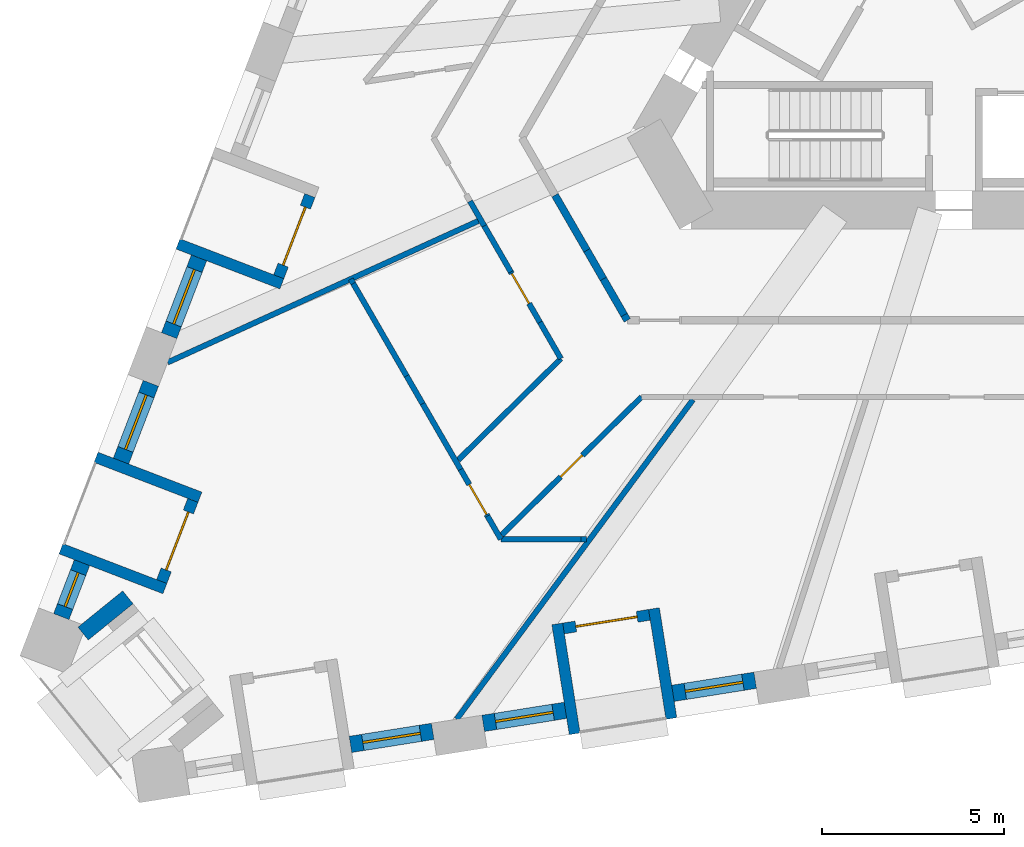
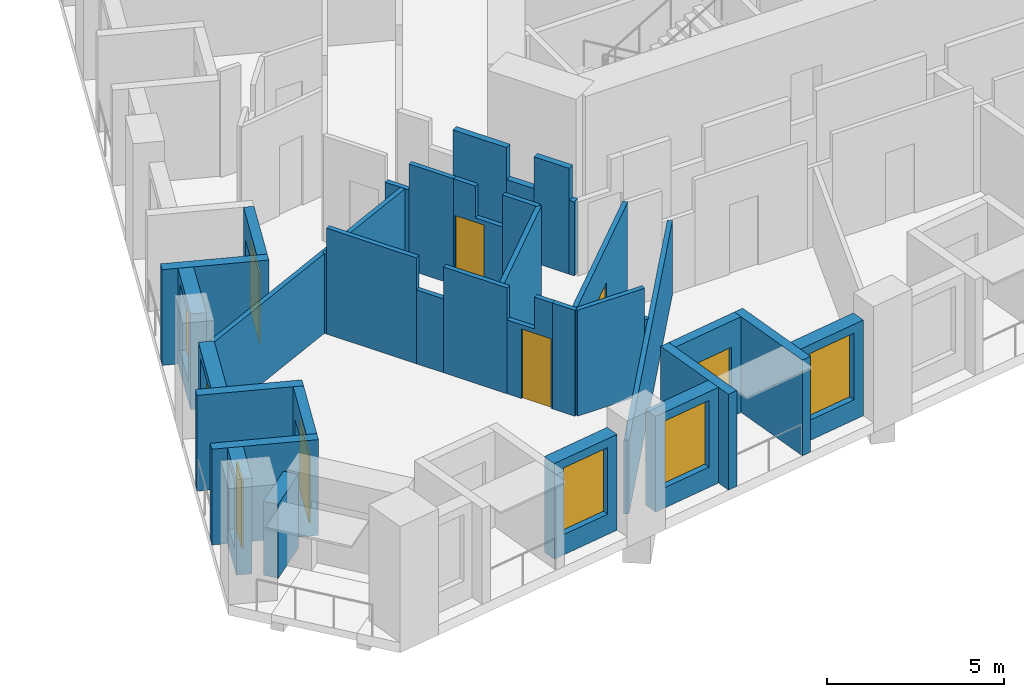
# One storey, part 2 of 13: 35 walls, 6 doors, 6 windows, 12 openings.
"""IFC4 building model written with IfcOpenShell, lengths in metres."""

import ifcopenshell
import ifcopenshell.guid

model = None  # the IFC model being written
_history = None  # IfcOwnerHistory: only IFC2X3 demands one
_inside = {}  # id of a spatial element -> (the spatial element, [elements in it])
_under = {}  # id of a project, library or spatial element -> (it, [spatial elements below it])
_declared = {}  # id of a project -> (the project, [libraries it declares])
_typed = {}  # id of a type object -> (the type object, [elements of that type])
_made_of = {}  # id of a material, layer set ... -> (it, [elements and type objects made of it])


def new_model(schema):
    """Start an empty IFC model of exactly this schema.

    Asked for "IFC4X3", IfcOpenShell would pick the latest addendum, in which some entities
    have other attributes; the version numbers below select the first issue.
    IFC2X3 requires an IfcOwnerHistory on every rooted entity: one is made here for all.
    """
    global model, _history
    if schema == "IFC4X3":
        model = ifcopenshell.file(schema_version=(4, 3, 0, 0))
    else:
        model = ifcopenshell.file(schema=schema)
    _inside.clear()
    _under.clear()
    _declared.clear()
    _typed.clear()
    _made_of.clear()
    _history = None
    if model.schema == "IFC2X3":
        org = make("IfcOrganization", Name="unknown")
        user = make(
            "IfcPersonAndOrganization",
            ThePerson=make("IfcPerson", FamilyName="unknown"),
            TheOrganization=org,
        )
        app = make(
            "IfcApplication",
            ApplicationDeveloper=org,
            Version="unknown",
            ApplicationFullName="unknown",
            ApplicationIdentifier="unknown",
        )
        _history = make(
            "IfcOwnerHistory",
            OwningUser=user,
            OwningApplication=app,
            ChangeAction="ADDED",
            CreationDate=0,
        )
    return model


def make(cls, **values):
    """One entity of the class cls with the attributes given. An attribute that is None is left unset."""
    return model.create_entity(
        cls, **{name: value for name, value in values.items() if value is not None}
    )


def rooted(cls, **values):
    """An entity with a GlobalId (a new one), such as an element, a storey or a relation."""
    return make(cls, GlobalId=ifcopenshell.guid.new(), OwnerHistory=_history, **values)


def si_unit(unit_type, name, prefix=None):
    """IfcSIUnit, for example si_unit("LENGTHUNIT", "METRE", prefix="MILLI")."""
    return make("IfcSIUnit", UnitType=unit_type, Prefix=prefix, Name=name)


def assignment(units):
    """IfcUnitAssignment: the units of a project."""
    return None if units is None else make("IfcUnitAssignment", Units=units)


def point(xyz):
    """IfcCartesianPoint."""
    return None if xyz is None else make("IfcCartesianPoint", Coordinates=xyz)


def direction(xyz):
    """IfcDirection."""
    return None if xyz is None else make("IfcDirection", DirectionRatios=xyz)


def frame(location, z_axis=None, x_axis=None):
    """IfcAxis2Placement3D, a coordinate frame: its origin and axes. An axis left out is left unset."""
    return make(
        "IfcAxis2Placement3D",
        Location=point(location),
        Axis=direction(z_axis),
        RefDirection=direction(x_axis),
    )


def frame_2d(location, x_axis=None):
    """IfcAxis2Placement2D, a coordinate frame in the plane: its origin and x axis."""
    return make(
        "IfcAxis2Placement2D", Location=point(location), RefDirection=direction(x_axis)
    )


def origin():
    """The frame at (0, 0, 0) with its axes left unset."""
    return frame((0.0, 0.0, 0.0))


def place(relative_to, where):
    """IfcLocalPlacement: puts the frame where relative to a parent placement (None: the world)."""
    return make(
        "IfcLocalPlacement", PlacementRelTo=relative_to, RelativePlacement=where
    )


def context(
    kind, dimensions, precision=None, world=None, true_north=None, identifier=None
):
    """IfcGeometricRepresentationContext, for example the 3D "Model" context."""
    return make(
        "IfcGeometricRepresentationContext",
        ContextIdentifier=identifier,
        ContextType=kind,
        CoordinateSpaceDimension=dimensions,
        Precision=precision,
        WorldCoordinateSystem=world,
        TrueNorth=true_north,
    )


def subcontext(parent, identifier, kind, view, scale=None):
    """IfcGeometricRepresentationSubContext, for example "Body" below "Model"."""
    return make(
        "IfcGeometricRepresentationSubContext",
        ContextIdentifier=identifier,
        ContextType=kind,
        ParentContext=parent,
        TargetScale=scale,
        TargetView=view,
    )


def project(units=None, contexts=None):
    """IfcProject with its units and contexts."""
    return rooted(
        "IfcProject",
        Name="project",
        RepresentationContexts=contexts,
        UnitsInContext=assignment(units),
    )


def spatial(cls, under=None, at=None, **own):
    """A site, building, storey or space (cls), placed at a placement, below another one or the project."""
    s = rooted(cls, ObjectPlacement=at, **own)
    if under is not None:
        _under.setdefault(under.id(), (under, []))[1].append(s)
    return s


def polyline(points):
    """IfcPolyline through the points."""
    return make("IfcPolyline", Points=[point(p) for p in points])


def profile(cls, at=None, kind="AREA", **sizes):
    """A parametric profile (cls). Its sizes go by their IFC names, for example OverallWidth=200.0."""
    return make(cls, ProfileType=kind, Position=at, **sizes)


def rectangle(**sizes):
    """IfcRectangleProfileDef."""
    return profile("IfcRectangleProfileDef", **sizes)


def outline(outer, holes=None, kind="AREA"):
    """IfcArbitraryClosedProfileDef: a profile drawn as a closed curve; with holes, ...WithVoids."""
    if holes is None:
        return make("IfcArbitraryClosedProfileDef", ProfileType=kind, OuterCurve=outer)
    return make(
        "IfcArbitraryProfileDefWithVoids",
        ProfileType=kind,
        OuterCurve=outer,
        InnerCurves=holes,
    )


def extrude(swept, where, along, depth):
    """IfcExtrudedAreaSolid: the profile swept, set in the frame where, extruded along a direction by depth."""
    return make(
        "IfcExtrudedAreaSolid",
        SweptArea=swept,
        Position=where,
        ExtrudedDirection=direction(along),
        Depth=depth,
    )


def shape(context_of_items, identifier, shape_type, items):
    """IfcShapeRepresentation: the items that make up one representation, for example the "Body"."""
    return make(
        "IfcShapeRepresentation",
        ContextOfItems=context_of_items,
        RepresentationIdentifier=identifier,
        RepresentationType=shape_type,
        Items=items,
    )


def material(Name=None, Category=None):
    """IfcMaterial."""
    return make("IfcMaterial", Name=Name, Category=Category)


def layer(
    of_material, thickness, ventilated=None, Name=None, Category=None, Priority=None
):
    """IfcMaterialLayer: one layer of a wall or slab, of a material (None: an air gap)."""
    return make(
        "IfcMaterialLayer",
        Material=of_material,
        LayerThickness=thickness,
        IsVentilated=ventilated,
        Name=Name,
        Category=Category,
        Priority=Priority,
    )


def layer_set(layers, Name=None):
    """IfcMaterialLayerSet."""
    return make("IfcMaterialLayerSet", MaterialLayers=layers, LayerSetName=Name)


def made_of(thing, what):
    """Note that an element or type object is made of a material, layer set ...; save() writes the relation."""
    if what is not None:
        _made_of.setdefault(what.id(), (what, []))[1].append(thing)
    return thing


def type_object(cls, material=None, **own):
    """A type object (cls), such as IfcWallType, which elements share."""
    return made_of(rooted(cls, **own), material)


def element(
    cls,
    number,
    at=None,
    inside=None,
    cuts=None,
    type_object=None,
    material=None,
    context=None,
    identifier="Body",
    shape_type=None,
    held_by="IfcProductDefinitionShape",
    body=None,
    shapes=None,
    **own,
):
    """One element of the class cls, such as IfcWall. Its Tag is "e" and its number.

    at: its placement. inside: the storey or other place that contains it. cuts: it is an
    opening in that element (IfcRelVoidsElement). A single representation is given by context,
    identifier, shape_type and body (its items); several are given by shapes. held_by: the class
    of the entity that holds the representations. save() writes the other relations.
    """
    e = rooted(cls, Tag="e%d" % number, ObjectPlacement=at, **own)
    if body is not None:
        shapes = [shape(context, identifier, shape_type, body)]
    if shapes is not None:
        e.Representation = make(held_by, Representations=shapes)
    if inside is not None:
        _inside.setdefault(inside.id(), (inside, []))[1].append(e)
    if cuts is not None:
        rooted(
            "IfcRelVoidsElement", RelatingBuildingElement=cuts, RelatedOpeningElement=e
        )
    if type_object is not None:
        _typed.setdefault(type_object.id(), (type_object, []))[1].append(e)
    return made_of(e, material)


def fill(opening, filler):
    """IfcRelFillsElement: the door or window that sits in an opening."""
    return rooted(
        "IfcRelFillsElement",
        RelatingOpeningElement=opening,
        RelatedBuildingElement=filler,
    )


def aggregate(whole, parts):
    """IfcRelAggregates: a whole, such as a stair, and the parts it consists of."""
    return rooted("IfcRelAggregates", RelatingObject=whole, RelatedObjects=parts)


def save(model, path):
    """Write the relations noted so far, then the file.

    IfcRelAggregates (storeys below a building ...), IfcRelContainedInSpatialStructure (elements
    in a storey), IfcRelDefinesByType, IfcRelAssociatesMaterial and IfcRelDeclares: one each for
    every whole, place, type object, material and project.
    """
    for whole, parts in _under.values():
        aggregate(whole, parts)
    for where, things in _inside.values():
        rooted(
            "IfcRelContainedInSpatialStructure",
            RelatedElements=things,
            RelatingStructure=where,
        )
    for kind, things in _typed.values():
        rooted("IfcRelDefinesByType", RelatedObjects=things, RelatingType=kind)
    for what, things in _made_of.values():
        rooted("IfcRelAssociatesMaterial", RelatedObjects=things, RelatingMaterial=what)
    for by, libraries in _declared.values():
        rooted("IfcRelDeclares", RelatingContext=by, RelatedDefinitions=libraries)
    model.write(path)


model = new_model("IFC4")

# Units and contexts
model_context = context("Model", 3, precision=1e-05, world=origin(), true_north=direction((0.0, 1.0)))
body_context = subcontext(model_context, "Body", "Model", "MODEL_VIEW")
ifc_project = project(units=[si_unit("LENGTHUNIT", "METRE"), si_unit("AREAUNIT", "SQUARE_METRE"), si_unit("VOLUMEUNIT", "CUBIC_METRE"), si_unit("PLANEANGLEUNIT", "RADIAN"), si_unit("MASSUNIT", "GRAM", prefix="KILO")], contexts=[model_context])

# Site, building, storey
site_placement = place(None, origin())
site = spatial("IfcSite", under=ifc_project, at=site_placement, CompositionType="ELEMENT")
building_placement = place(site_placement, origin())
building = spatial("IfcBuilding", under=site, at=building_placement, Name="Tramontana Tower", CompositionType="ELEMENT")
storey_placement = place(building_placement, frame((0.0, 0.0, 51.199951171875)))
storey = spatial("IfcBuildingStorey", under=building, at=storey_placement, Name="L10", CompositionType="ELEMENT", Elevation=51.199951171875)

# Walls
ifc_material_1 = material(Name="Blockwork", Category="masonry")
ifc_layer_1 = layer(ifc_material_1, 0.199951171875)
ifc_layer_set_1 = layer_set([ifc_layer_1], Name="ENTRY WALL 200")
wall_type_1 = type_object("IfcWallType", Name="ENTRY WALL 200", PredefinedType="SOLIDWALL", material=ifc_layer_set_1)
wall_1_placement = place(storey_placement, frame((-10.248046875, -9.25, 0.0), z_axis=(0.0, 0.0, 1.0), x_axis=(-0.499516518495, 0.866304362075, 0.0)))
element("IfcWall", 1, at=wall_1_placement, inside=storey, type_object=wall_type_1, Name="Wall v10-ew3-0", PredefinedType="SOLIDWALL", context=body_context, shape_type="SweptSolid", body=[
    extrude(rectangle(XDim=0.171142578125, YDim=0.199951171875, at=frame_2d((0.08544921875, 0.0))), origin(), (0.0, 0.0, 1.0), 2.550048828125),
])
wall_2_placement = place(storey_placement, frame((-10.33349609375, -9.101806640625, 0.0), z_axis=(0.0, 0.0, 1.0), x_axis=(-0.500049527193, 0.865996807358, 0.0)))
element("IfcWall", 2, at=wall_2_placement, inside=storey, type_object=wall_type_1, Name="Wall v10-ew3-1", PredefinedType="SOLIDWALL", context=body_context, shape_type="SweptSolid", body=[
    extrude(rectangle(XDim=1.1416015625, YDim=0.199951171875, at=frame_2d((0.57080078125, 0.0))), origin(), (0.0, 0.0, 1.0), 3.650146484375),
])
wall_3_placement = place(storey_placement, frame((-10.904296875, -8.11328125, 0.0), z_axis=(0.0, 0.0, 1.0), x_axis=(-0.499948710669, 0.866055013668, 0.0)))
element("IfcWall", 3, at=wall_3_placement, inside=storey, type_object=wall_type_1, Name="Wall v10-ew3-2", PredefinedType="SOLIDWALL", context=body_context, shape_type="SweptSolid", body=[
    extrude(rectangle(XDim=0.90283203125, YDim=0.199951171875, at=frame_2d((0.451416015625, 0.0))), origin(), (0.0, 0.0, 1.0), 2.550048828125),
])
wall_4_placement = place(storey_placement, frame((-11.355712890625, -7.331298828125, 0.0), z_axis=(0.0, 0.0, 1.0), x_axis=(-0.50000494408, 0.866022549299, 0.0)))
element("IfcWall", 4, at=wall_4_placement, inside=storey, type_object=wall_type_1, Name="Wall v10-ew3-3", PredefinedType="SOLIDWALL", context=body_context, shape_type="SweptSolid", body=[
    extrude(rectangle(XDim=1.74560546875, YDim=0.199951171875, at=frame_2d((0.872802734375, 0.0))), origin(), (0.0, 0.0, 1.0), 3.650146484375),
])

# Wall, opening, window
ifc_material_2 = material(Name="Precast concrete 60 MPa", Category="concrete")
ifc_layer_2 = layer(ifc_material_2, 0.449951171875)
ifc_layer_set_2 = layer_set([ifc_layer_2], Name="Precast concrete 60 MPa, 450 mm")
wall_type_2 = type_object("IfcWallType", Name="EW1 Stone-faced precast wall 450", PredefinedType="SOLIDWALL", material=ifc_layer_set_2)
wall_5_placement = place(storey_placement, frame((-21.986083984375, -7.536376953125, 0.0), z_axis=(0.0, 0.0, 1.0), x_axis=(-0.358355550725, -0.933585185864, 0.0)))
wall_5 = element("IfcWall", 5, at=wall_5_placement, inside=storey, type_object=wall_type_2, Name="External wall L10 face 0 bay 5", PredefinedType="SOLIDWALL", context=body_context, shape_type="SweptSolid", body=[
    extrude(rectangle(XDim=2.282958984375, YDim=0.449951171875, at=frame_2d((1.1416015625, 0.0))), origin(), (0.0, 0.0, 1.0), 3.300048828125),
])
opening_1_placement = place(wall_5_placement, frame((0.341552734375, 0.0, 0.699951171875)))
opening_1 = element("IfcOpeningElement", 6, at=opening_1_placement, cuts=wall_5, Name="Opening M1", PredefinedType="OPENING", context=body_context, shape_type="SweptSolid", body=[
    extrude(rectangle(XDim=1.60009765625, YDim=2.300048828125, at=frame_2d((0.800048828125, 1.14990234375))), frame((0.0, 0.23486328125, 0.0), z_axis=(0.0, -1.0, 0.0), x_axis=(1.0, 0.0, 0.0)), (0.0, 0.0, 1.0), 0.469970703125),
])
ifc_material_3 = material(Name="Aluminum frame, double glazing unit", Category="aluminium")
window_type_1 = type_object("IfcWindowType", Name="M1 Window 1.6 x 2.3", PartitioningType="SINGLE_PANEL", PredefinedType="WINDOW", material=ifc_material_3)
window_1_placement = place(opening_1_placement, origin())
window_1 = element("IfcWindow", 7, at=window_1_placement, inside=storey, type_object=window_type_1, Name="Window M1 L10 face 0 module 15", OverallHeight=2.300048828125, OverallWidth=1.60009765625, PartitioningType="SINGLE_PANEL", PredefinedType="WINDOW", context=body_context, shape_type="SweptSolid", body=[
    extrude(rectangle(XDim=1.60009765625, YDim=2.300048828125, at=frame_2d((0.800048828125, 1.14990234375))), frame((0.0, 0.030029296875, 0.0), z_axis=(0.0, -1.0, 0.0), x_axis=(1.0, 0.0, 0.0)), (0.0, 0.0, 1.0), 0.06005859375),
])
fill(opening_1, window_1)

wall_6_placement = place(storey_placement, frame((-23.305908203125, -10.974609375, 0.0), z_axis=(0.0, 0.0, 1.0), x_axis=(-0.358355550725, -0.933585185864, 0.0)))
wall_6 = element("IfcWall", 8, at=wall_6_placement, inside=storey, type_object=wall_type_2, Name="External wall L10 face 0 bay 6", PredefinedType="SOLIDWALL", context=body_context, shape_type="SweptSolid", body=[
    extrude(rectangle(XDim=2.282958984375, YDim=0.449951171875, at=frame_2d((1.1416015625, 0.0))), origin(), (0.0, 0.0, 1.0), 3.300048828125),
])
opening_2_placement = place(wall_6_placement, frame((0.341552734375, 0.0, 0.699951171875)))
opening_2 = element("IfcOpeningElement", 9, at=opening_2_placement, cuts=wall_6, Name="Opening M1", PredefinedType="OPENING", context=body_context, shape_type="SweptSolid", body=[
    extrude(rectangle(XDim=1.60009765625, YDim=2.300048828125, at=frame_2d((0.800048828125, 1.14990234375))), frame((0.0, 0.23486328125, 0.0), z_axis=(0.0, -1.0, 0.0), x_axis=(1.0, 0.0, 0.0)), (0.0, 0.0, 1.0), 0.469970703125),
])
window_2_placement = place(opening_2_placement, origin())
window_2 = element("IfcWindow", 10, at=window_2_placement, inside=storey, type_object=window_type_1, Name="Window M1 L10 face 0 module 16", OverallHeight=2.300048828125, OverallWidth=1.60009765625, PartitioningType="SINGLE_PANEL", PredefinedType="WINDOW", context=body_context, shape_type="SweptSolid", body=[
    extrude(rectangle(XDim=1.60009765625, YDim=2.300048828125, at=frame_2d((0.800048828125, 1.14990234375))), frame((0.0, 0.030029296875, 0.0), z_axis=(0.0, -1.0, 0.0), x_axis=(1.0, 0.0, 0.0)), (0.0, 0.0, 1.0), 0.06005859375),
])
fill(opening_2, window_2)

wall_7_placement = place(storey_placement, frame((-25.193115234375, -15.890869140625, 0.0), z_axis=(0.0, 0.0, 1.0), x_axis=(-0.358431261356, -0.933556120907, 0.0)))
wall_7 = element("IfcWall", 11, at=wall_7_placement, inside=storey, type_object=wall_type_2, Name="External wall L10 face 0 bay 6", PredefinedType="SOLIDWALL", context=body_context, shape_type="SweptSolid", body=[
    extrude(rectangle(XDim=1.5830078125, YDim=0.449951171875, at=frame_2d((0.79150390625, 0.0))), origin(), (0.0, 0.0, 1.0), 3.300048828125),
])
opening_3_placement = place(wall_7_placement, frame((0.29150390625, 0.0, 0.699951171875)))
opening_3 = element("IfcOpeningElement", 12, at=opening_3_placement, cuts=wall_7, Name="Opening N1", PredefinedType="OPENING", context=body_context, shape_type="SweptSolid", body=[
    extrude(rectangle(XDim=1.0, YDim=2.300048828125, at=frame_2d((0.5, 1.14990234375))), frame((0.0, 0.23486328125, 0.0), z_axis=(0.0, -1.0, 0.0), x_axis=(1.0, 0.0, 0.0)), (0.0, 0.0, 1.0), 0.469970703125),
])
ifc_material_4 = material(Name="Aluminum frame, double glazing unit", Category="aluminium")
window_type_2 = type_object("IfcWindowType", Name="N1 Window 1 x 2.3", PartitioningType="SINGLE_PANEL", PredefinedType="WINDOW", material=ifc_material_4)
window_3_placement = place(opening_3_placement, origin())
window_3 = element("IfcWindow", 13, at=window_3_placement, inside=storey, type_object=window_type_2, Name="Window N1 L10 face 0 module 18", OverallHeight=2.300048828125, OverallWidth=1.0, PartitioningType="SINGLE_PANEL", PredefinedType="WINDOW", context=body_context, shape_type="SweptSolid", body=[
    extrude(rectangle(XDim=1.0, YDim=2.300048828125, at=frame_2d((0.5, 1.14990234375))), frame((0.0, 0.030029296875, 0.0), z_axis=(0.0, -1.0, 0.0), x_axis=(1.0, 0.0, 0.0)), (0.0, 0.0, 1.0), 0.06005859375),
])
fill(opening_3, window_3)

wall_8_placement = place(storey_placement, frame((-17.835205078125, -20.8720703125, 0.0), z_axis=(0.0, 0.0, 1.0), x_axis=(0.987685675151, 0.156451293065, 0.0)))
wall_8 = element("IfcWall", 14, at=wall_8_placement, inside=storey, type_object=wall_type_2, Name="External wall L10 face 1 bay 1", PredefinedType="SOLIDWALL", context=body_context, shape_type="SweptSolid", body=[
    extrude(rectangle(XDim=2.282958984375, YDim=0.449951171875, at=frame_2d((1.1416015625, 0.0))), origin(), (0.0, 0.0, 1.0), 3.300048828125),
])
opening_4_placement = place(wall_8_placement, frame((0.341552734375, 0.0, 0.699951171875)))
opening_4 = element("IfcOpeningElement", 15, at=opening_4_placement, cuts=wall_8, Name="Opening M1", PredefinedType="OPENING", context=body_context, shape_type="SweptSolid", body=[
    extrude(rectangle(XDim=1.60009765625, YDim=2.300048828125, at=frame_2d((0.800048828125, 1.14990234375))), frame((0.0, 0.23486328125, 0.0), z_axis=(0.0, -1.0, 0.0), x_axis=(1.0, 0.0, 0.0)), (0.0, 0.0, 1.0), 0.469970703125),
])
window_4_placement = place(opening_4_placement, origin())
window_4 = element("IfcWindow", 16, at=window_4_placement, inside=storey, type_object=window_type_1, Name="Window M1 L10 face 1 module 3", OverallHeight=2.300048828125, OverallWidth=1.60009765625, PartitioningType="SINGLE_PANEL", PredefinedType="WINDOW", context=body_context, shape_type="SweptSolid", body=[
    extrude(rectangle(XDim=1.60009765625, YDim=2.300048828125, at=frame_2d((0.800048828125, 1.14990234375))), frame((0.0, 0.030029296875, 0.0), z_axis=(0.0, -1.0, 0.0), x_axis=(1.0, 0.0, 0.0)), (0.0, 0.0, 1.0), 0.06005859375),
])
fill(opening_4, window_4)

wall_9_placement = place(storey_placement, frame((-14.19775390625, -20.2958984375, 0.0), z_axis=(0.0, 0.0, 1.0), x_axis=(0.987685675151, 0.156451293065, 0.0)))
wall_9 = element("IfcWall", 17, at=wall_9_placement, inside=storey, type_object=wall_type_2, Name="External wall L10 face 1 bay 2", PredefinedType="SOLIDWALL", context=body_context, shape_type="SweptSolid", body=[
    extrude(rectangle(XDim=2.282958984375, YDim=0.449951171875, at=frame_2d((1.1416015625, 0.0))), origin(), (0.0, 0.0, 1.0), 3.300048828125),
])
opening_5_placement = place(wall_9_placement, frame((0.341552734375, 0.0, 0.699951171875)))
opening_5 = element("IfcOpeningElement", 18, at=opening_5_placement, cuts=wall_9, Name="Opening M1", PredefinedType="OPENING", context=body_context, shape_type="SweptSolid", body=[
    extrude(rectangle(XDim=1.60009765625, YDim=2.300048828125, at=frame_2d((0.800048828125, 1.14990234375))), frame((0.0, 0.23486328125, 0.0), z_axis=(0.0, -1.0, 0.0), x_axis=(1.0, 0.0, 0.0)), (0.0, 0.0, 1.0), 0.469970703125),
])
window_5_placement = place(opening_5_placement, origin())
window_5 = element("IfcWindow", 19, at=window_5_placement, inside=storey, type_object=window_type_1, Name="Window M1 L10 face 1 module 4", OverallHeight=2.300048828125, OverallWidth=1.60009765625, PartitioningType="SINGLE_PANEL", PredefinedType="WINDOW", context=body_context, shape_type="SweptSolid", body=[
    extrude(rectangle(XDim=1.60009765625, YDim=2.300048828125, at=frame_2d((0.800048828125, 1.14990234375))), frame((0.0, 0.030029296875, 0.0), z_axis=(0.0, -1.0, 0.0), x_axis=(1.0, 0.0, 0.0)), (0.0, 0.0, 1.0), 0.06005859375),
])
fill(opening_5, window_5)

wall_10_placement = place(storey_placement, frame((-8.99658203125, -19.47216796875, 0.0), z_axis=(0.0, 0.0, 1.0), x_axis=(0.987685675151, 0.156451293065, 0.0)))
wall_10 = element("IfcWall", 20, at=wall_10_placement, inside=storey, type_object=wall_type_2, Name="External wall L10 face 1 bay 2", PredefinedType="SOLIDWALL", context=body_context, shape_type="SweptSolid", body=[
    extrude(rectangle(XDim=2.282958984375, YDim=0.449951171875, at=frame_2d((1.1416015625, 0.0))), origin(), (0.0, 0.0, 1.0), 3.300048828125),
])
opening_6_placement = place(wall_10_placement, frame((0.341552734375, 0.0, 0.699951171875)))
opening_6 = element("IfcOpeningElement", 21, at=opening_6_placement, cuts=wall_10, Name="Opening M1", PredefinedType="OPENING", context=body_context, shape_type="SweptSolid", body=[
    extrude(rectangle(XDim=1.60009765625, YDim=2.300048828125, at=frame_2d((0.800048828125, 1.14990234375))), frame((0.0, 0.23486328125, 0.0), z_axis=(0.0, -1.0, 0.0), x_axis=(1.0, 0.0, 0.0)), (0.0, 0.0, 1.0), 0.469970703125),
])
window_6_placement = place(opening_6_placement, origin())
window_6 = element("IfcWindow", 22, at=window_6_placement, inside=storey, type_object=window_type_1, Name="Window M1 L10 face 1 module 6", OverallHeight=2.300048828125, OverallWidth=1.60009765625, PartitioningType="SINGLE_PANEL", PredefinedType="WINDOW", context=body_context, shape_type="SweptSolid", body=[
    extrude(rectangle(XDim=1.60009765625, YDim=2.300048828125, at=frame_2d((0.800048828125, 1.14990234375))), frame((0.0, 0.030029296875, 0.0), z_axis=(0.0, -1.0, 0.0), x_axis=(1.0, 0.0, 0.0)), (0.0, 0.0, 1.0), 0.06005859375),
])
fill(opening_6, window_6)

# Wall
wall_11_placement = place(storey_placement, frame((-25.162841796875, -17.835205078125, 0.0), z_axis=(0.0, 0.0, 1.0), x_axis=(0.777129655516, 0.629340526677, 0.0)))
element("IfcWall", 23, at=wall_11_placement, inside=storey, type_object=wall_type_2, Name="Corner loggia side wall L10 K11r", PredefinedType="SOLIDWALL", context=body_context, shape_type="SweptSolid", body=[
    extrude(rectangle(XDim=1.579345703125, YDim=0.449951171875, at=frame_2d((0.78955078125, 0.0))), origin(), (0.0, 0.0, 1.0), 2.550048828125),
])

# Wall, opening, door
ifc_material_5 = material(Name="Precast concrete 60 MPa", Category="concrete")
ifc_layer_3 = layer(ifc_material_5, 0.300048828125)
ifc_layer_set_3 = layer_set([ifc_layer_3], Name="LW1 Stone-faced loggia wall 300")
wall_type_3 = type_object("IfcWallType", Name="LW1 Stone-faced loggia wall 300", PredefinedType="SOLIDWALL", material=ifc_layer_set_3)
wall_12_placement = place(storey_placement, frame((-18.947265625, -5.828857421875, 0.0), z_axis=(0.0, 0.0, 1.0), x_axis=(-0.358354292693, -0.933585668757, 0.0)))
wall_12 = element("IfcWall", 24, at=wall_12_placement, inside=storey, type_object=wall_type_3, Name="Loggia wall L10 G1S0.13", PredefinedType="SOLIDWALL", context=body_context, shape_type="SweptSolid", body=[
    extrude(rectangle(XDim=2.383056640625, YDim=0.300048828125, at=frame_2d((1.19140625, 0.0))), origin(), (0.0, 0.0, 1.0), 3.300048828125),
])
opening_7_placement = place(wall_12_placement, frame((0.341552734375, 0.0, 0.0)))
opening_7 = element("IfcOpeningElement", 25, at=opening_7_placement, cuts=wall_12, Name="Opening BD-1S0-13", PredefinedType="OPENING", context=body_context, shape_type="SweptSolid", body=[
    extrude(rectangle(XDim=1.699951171875, YDim=2.39990234375, at=frame_2d((0.85009765625, 1.199951171875))), frame((0.0, 0.159912109375, 0.0), z_axis=(0.0, -1.0, 0.0), x_axis=(1.0, 0.0, 0.0)), (0.0, 0.0, 1.0), 0.320068359375),
])
ifc_material_6 = material(Name="Aluminum frame, double glazing unit", Category="aluminium")
door_type_1 = type_object("IfcDoorType", Name="BD1 Sliding door 1.7 x 2.4", OperationType="SLIDING_TO_LEFT", PredefinedType="DOOR", material=ifc_material_6)
door_1_placement = place(opening_7_placement, origin())
door_1 = element("IfcDoor", 26, at=door_1_placement, inside=storey, type_object=door_type_1, Name="Loggia door L10 G1S0.13", OperationType="SLIDING_TO_LEFT", OverallHeight=2.39990234375, OverallWidth=1.699951171875, PredefinedType="DOOR", context=body_context, shape_type="SweptSolid", body=[
    extrude(rectangle(XDim=1.699951171875, YDim=2.39990234375, at=frame_2d((0.85009765625, 1.199951171875))), frame((0.0, 0.02490234375, 0.0), z_axis=(0.0, -1.0, 0.0), x_axis=(1.0, 0.0, 0.0)), (0.0, 0.0, 1.0), 0.050048828125),
])
fill(opening_7, door_1)

# Wall
wall_13_placement = place(storey_placement, frame((-22.5625, -7.154296875, 0.0), z_axis=(0.0, 0.0, 1.0), x_axis=(0.933580593625, -0.358367514161, 0.0)))
element("IfcWall", 27, at=wall_13_placement, inside=storey, type_object=wall_type_3, Name="Loggia return L10 G1S0.13b", PredefinedType="SOLIDWALL", context=body_context, shape_type="SweptSolid", body=[
    extrude(rectangle(XDim=3.050048828125, YDim=0.300048828125, at=frame_2d((1.52490234375, 0.0))), origin(), (0.0, 0.0, 1.0), 3.300048828125),
])

# Wall, opening, door
wall_14_placement = place(storey_placement, frame((-22.154296875, -14.18359375, 0.0), z_axis=(0.0, 0.0, 1.0), x_axis=(-0.35838856932, -0.933572511046, 0.0)))
wall_14 = element("IfcWall", 28, at=wall_14_placement, inside=storey, type_object=wall_type_3, Name="Loggia wall L10 G1S0.16", PredefinedType="SOLIDWALL", context=body_context, shape_type="SweptSolid", body=[
    extrude(rectangle(XDim=2.3828125, YDim=0.300048828125, at=frame_2d((1.19140625, 0.0))), origin(), (0.0, 0.0, 1.0), 3.300048828125),
])
opening_8_placement = place(wall_14_placement, frame((0.341552734375, 0.0, 0.0)))
opening_8 = element("IfcOpeningElement", 29, at=opening_8_placement, cuts=wall_14, Name="Opening BD-1S0-16", PredefinedType="OPENING", context=body_context, shape_type="SweptSolid", body=[
    extrude(rectangle(XDim=1.699951171875, YDim=2.39990234375, at=frame_2d((0.85009765625, 1.199951171875))), frame((0.0, 0.159912109375, 0.0), z_axis=(0.0, -1.0, 0.0), x_axis=(1.0, 0.0, 0.0)), (0.0, 0.0, 1.0), 0.320068359375),
])
door_2_placement = place(opening_8_placement, origin())
door_2 = element("IfcDoor", 30, at=door_2_placement, inside=storey, type_object=door_type_1, Name="Loggia door L10 G1S0.16", OperationType="SLIDING_TO_LEFT", OverallHeight=2.39990234375, OverallWidth=1.699951171875, PredefinedType="DOOR", context=body_context, shape_type="SweptSolid", body=[
    extrude(rectangle(XDim=1.699951171875, YDim=2.39990234375, at=frame_2d((0.85009765625, 1.199951171875))), frame((0.0, 0.02490234375, 0.0), z_axis=(0.0, -1.0, 0.0), x_axis=(1.0, 0.0, 0.0)), (0.0, 0.0, 1.0), 0.050048828125),
])
fill(opening_8, door_2)

# Walls
for number, where, z_axis, x_axis, name in (
    (31, (-24.80810546875, -13.004150390625, 0.0), (0.0, 0.0, 1.0), (0.933580593625, -0.358367514161, 0.0), "Loggia return L10 G1S0.16a"),
    (32, (-25.76953125, -15.509033203125, 0.0), (0.0, 0.0, 1.0), (0.933580593625, -0.358367514161, 0.0), "Loggia return L10 G1S0.16b"),
):
    element("IfcWall", number, at=place(storey_placement, frame(where, z_axis=z_axis, x_axis=x_axis)), inside=storey, type_object=wall_type_3, Name=name, PredefinedType="SOLIDWALL", context=body_context, shape_type="SweptSolid", body=[
        extrude(rectangle(XDim=3.050048828125, YDim=0.300048828125, at=frame_2d((1.52490234375, 0.0))), origin(), (0.0, 0.0, 1.0), 3.300048828125),
    ])

# Wall, opening, door
wall_15_placement = place(storey_placement, frame((-11.99462890625, -17.694091796875, 0.0), z_axis=(0.0, 0.0, 1.0), x_axis=(0.98770391772, 0.156336083232, 0.0)))
wall_15 = element("IfcWall", 33, at=wall_15_placement, inside=storey, type_object=wall_type_3, Name="Loggia wall L10 G1S1.4", PredefinedType="SOLIDWALL", context=body_context, shape_type="SweptSolid", body=[
    extrude(rectangle(XDim=2.383056640625, YDim=0.300048828125, at=frame_2d((1.19140625, 0.0))), origin(), (0.0, 0.0, 1.0), 3.300048828125),
])
opening_9_placement = place(wall_15_placement, frame((0.341552734375, 0.0, 0.0)))
opening_9 = element("IfcOpeningElement", 34, at=opening_9_placement, cuts=wall_15, Name="Opening BD-1S1-04", PredefinedType="OPENING", context=body_context, shape_type="SweptSolid", body=[
    extrude(rectangle(XDim=1.699951171875, YDim=2.39990234375, at=frame_2d((0.85009765625, 1.199951171875))), frame((0.0, 0.159912109375, 0.0), z_axis=(0.0, -1.0, 0.0), x_axis=(1.0, 0.0, 0.0)), (0.0, 0.0, 1.0), 0.320068359375),
])
door_3_placement = place(opening_9_placement, origin())
door_3 = element("IfcDoor", 35, at=door_3_placement, inside=storey, type_object=door_type_1, Name="Loggia door L10 G1S1.4", OperationType="SLIDING_TO_LEFT", OverallHeight=2.39990234375, OverallWidth=1.699951171875, PredefinedType="DOOR", context=body_context, shape_type="SweptSolid", body=[
    extrude(rectangle(XDim=1.699951171875, YDim=2.39990234375, at=frame_2d((0.85009765625, 1.199951171875))), frame((0.0, 0.02490234375, 0.0), z_axis=(0.0, -1.0, 0.0), x_axis=(1.0, 0.0, 0.0)), (0.0, 0.0, 1.0), 0.050048828125),
])
fill(opening_9, door_3)

# Walls
for number, where, z_axis, x_axis, name in (
    (36, (-11.68896484375, -20.58203125, 0.0), (0.0, 0.0, 1.0), (-0.156488687365, 0.987679751097, 0.0), "Loggia return L10 G1S1.4a"),
    (37, (-9.0390625, -20.162353515625, 0.0), (0.0, 0.0, 1.0), (-0.156488687365, 0.987679751097, 0.0), "Loggia return L10 G1S1.4b"),
):
    element("IfcWall", number, at=place(storey_placement, frame(where, z_axis=z_axis, x_axis=x_axis)), inside=storey, type_object=wall_type_3, Name=name, PredefinedType="SOLIDWALL", context=body_context, shape_type="SweptSolid", body=[
        extrude(rectangle(XDim=3.050048828125, YDim=0.300048828125, at=frame_2d((1.52490234375, 0.0))), origin(), (0.0, 0.0, 1.0), 3.300048828125),
    ])
ifc_material_7 = material(Name="Gypsum board partition")
ifc_layer_4 = layer(ifc_material_7, 0.14990234375)
ifc_layer_set_4 = layer_set([ifc_layer_4], Name="PARTITION 150")
wall_type_4 = type_object("IfcWallType", Name="PARTITION 150", PredefinedType="PARTITIONING", material=ifc_layer_set_4)
wall_16_placement = place(storey_placement, frame((-22.844970703125, -10.40185546875, 0.0), z_axis=(0.0, 0.0, 1.0), x_axis=(0.910101702386, 0.414384955463, 0.0)))
element("IfcWall", 38, at=wall_16_placement, inside=storey, type_object=wall_type_4, Name="Wall v10-pw00-0", PredefinedType="PARTITIONING", context=body_context, shape_type="SweptSolid", body=[
    extrude(rectangle(XDim=9.353515625, YDim=0.14990234375, at=frame_2d((4.6767578125, 0.0))), origin(), (0.0, 0.0, 1.0), 2.75),
])
wall_17_placement = place(storey_placement, frame((-14.88037109375, -13.076416015625, 0.0), z_axis=(0.0, 0.0, 1.0), x_axis=(0.711570024915, 0.702615186032, 0.0)))
element("IfcWall", 39, at=wall_17_placement, inside=storey, type_object=wall_type_4, Name="Wall v10-pw05", PredefinedType="PARTITIONING", context=body_context, shape_type="SweptSolid", body=[
    extrude(rectangle(XDim=3.953125, YDim=0.14990234375, at=frame_2d((1.9765625, 0.0))), origin(), (0.0, 0.0, 1.0), 3.650146484375),
])
wall_18_placement = place(storey_placement, frame((-13.712158203125, -15.25, 0.0), z_axis=(0.0, 0.0, 1.0), x_axis=(-0.500039236423, 0.86600274944, 0.0)))
element("IfcWall", 40, at=wall_18_placement, inside=storey, type_object=wall_type_4, Name="Wall v10-pw06-0", PredefinedType="PARTITIONING", context=body_context, shape_type="SweptSolid", body=[
    extrude(rectangle(XDim=0.73388671875, YDim=0.14990234375, at=frame_2d((0.366943359375, 0.0))), origin(), (0.0, 0.0, 1.0), 3.650146484375),
])

# Wall, opening, door
wall_19_placement = place(storey_placement, frame((-14.0791015625, -14.614501953125, 0.0), z_axis=(0.0, 0.0, 1.0), x_axis=(-0.499927643558, 0.866067174765, 0.0)))
wall_19 = element("IfcWall", 41, at=wall_19_placement, inside=storey, type_object=wall_type_4, Name="Wall v10-pw06-1", PredefinedType="PARTITIONING", context=body_context, shape_type="SweptSolid", body=[
    extrude(outline(polyline([(0.0, 0.0), (1.476318359375, 0.0), (1.476318359375, 2.550048828125), (0.577392578125, 2.550048828125), (0.577392578125, 3.650146484375), (0.0, 3.650146484375), (0.0, 0.0)])), frame((0.0, 0.074951171875, 0.0), z_axis=(0.0, -1.0, 0.0), x_axis=(1.0, 0.0, 0.0)), (0.0, 0.0, 1.0), 0.14990234375),
])
opening_10_placement = place(wall_19_placement, frame((0.050048828125, 0.0, 0.0)))
opening_10 = element("IfcOpeningElement", 42, at=opening_10_placement, cuts=wall_19, Name="Opening B1A-12", PredefinedType="OPENING", context=body_context, shape_type="SweptSolid", body=[
    extrude(rectangle(XDim=0.949951171875, YDim=2.39990234375, at=frame_2d((0.47509765625, 1.199951171875))), frame((0.0, 0.0849609375, 0.0), z_axis=(0.0, -1.0, 0.0), x_axis=(1.0, 0.0, 0.0)), (0.0, 0.0, 1.0), 0.169921875),
])
ifc_material_8 = material(Name="Painted timber", Category="wood")
door_type_2 = type_object("IfcDoorType", Name="DOOR ROOM 950", OperationType="SINGLE_SWING_LEFT", PredefinedType="DOOR", material=ifc_material_8)
door_4_placement = place(opening_10_placement, origin())
door_4 = element("IfcDoor", 43, at=door_4_placement, inside=storey, type_object=door_type_2, Name="Door B1A-12", OperationType="SINGLE_SWING_RIGHT", OverallHeight=2.39990234375, OverallWidth=0.949951171875, PredefinedType="DOOR", context=body_context, shape_type="SweptSolid", body=[
    extrude(rectangle(XDim=0.949951171875, YDim=2.39990234375, at=frame_2d((0.47509765625, 1.199951171875))), frame((0.0, 0.02490234375, 0.0), z_axis=(0.0, -1.0, 0.0), x_axis=(1.0, 0.0, 0.0)), (0.0, 0.0, 1.0), 0.050048828125),
])
fill(opening_10, door_4)

# Walls
wall_20_placement = place(storey_placement, frame((-14.817138671875, -13.3359375, 0.0), z_axis=(0.0, 0.0, 1.0), x_axis=(-0.500027264788, 0.866009661879, 0.0)))
element("IfcWall", 44, at=wall_20_placement, inside=storey, type_object=wall_type_4, Name="Wall v10-pw06-2", PredefinedType="PARTITIONING", context=body_context, shape_type="SweptSolid", body=[
    extrude(rectangle(XDim=2.080078125, YDim=0.14990234375, at=frame_2d((1.0400390625, 0.0))), origin(), (0.0, 0.0, 1.0), 3.650146484375),
])
wall_21_placement = place(storey_placement, frame((-15.857177734375, -11.53466796875, 0.0), z_axis=(0.0, 0.0, 1.0), x_axis=(-0.49990697594, 0.86607910459, 0.0)))
element("IfcWall", 45, at=wall_21_placement, inside=storey, type_object=wall_type_4, Name="Wall v10-pw06-3", PredefinedType="PARTITIONING", context=body_context, shape_type="SweptSolid", body=[
    extrude(rectangle(XDim=0.878173828125, YDim=0.14990234375, at=frame_2d((0.43896484375, 0.0))), origin(), (0.0, 0.0, 1.0), 2.550048828125),
])
wall_22_placement = place(storey_placement, frame((-16.296142578125, -10.774169921875, 0.0), z_axis=(0.0, 0.0, 1.0), x_axis=(-0.499980071345, 0.866036909293, 0.0)))
element("IfcWall", 46, at=wall_22_placement, inside=storey, type_object=wall_type_4, Name="Wall v10-pw06-4", PredefinedType="PARTITIONING", context=body_context, shape_type="SweptSolid", body=[
    extrude(rectangle(XDim=2.92578125, YDim=0.14990234375, at=frame_2d((1.462890625, 0.0))), origin(), (0.0, 0.0, 1.0), 3.650146484375),
])
wall_23_placement = place(storey_placement, frame((-17.759033203125, -8.240234375, 0.0), z_axis=(0.0, 0.0, 1.0), x_axis=(-0.500896724159, 0.865507060472, 0.0)))
element("IfcWall", 47, at=wall_23_placement, inside=storey, type_object=wall_type_4, Name="Wall v10-pw06-5", PredefinedType="PARTITIONING", context=body_context, shape_type="SweptSolid", body=[
    extrude(rectangle(XDim=0.137939453125, YDim=0.14990234375, at=frame_2d((0.06884765625, 0.0))), origin(), (0.0, 0.0, 1.0), 2.75),
])
wall_24_placement = place(storey_placement, frame((-12.0673828125, -10.298828125, 0.0), z_axis=(0.0, 0.0, 1.0), x_axis=(-0.499955427682, 0.866051136095, 0.0)))
element("IfcWall", 48, at=wall_24_placement, inside=storey, type_object=wall_type_4, Name="Wall v10-pw07-0", PredefinedType="PARTITIONING", context=body_context, shape_type="SweptSolid", body=[
    extrude(rectangle(XDim=1.14892578125, YDim=0.14990234375, at=frame_2d((0.574462890625, 0.0))), origin(), (0.0, 0.0, 1.0), 3.650146484375),
])

# Wall, opening, door
wall_25_placement = place(storey_placement, frame((-12.641845703125, -9.3037109375, 0.0), z_axis=(0.0, 0.0, 1.0), x_axis=(-0.499961121316, 0.86604784924, 0.0)))
wall_25 = element("IfcWall", 49, at=wall_25_placement, inside=storey, type_object=wall_type_4, Name="Wall v10-pw07-1", PredefinedType="PARTITIONING", context=body_context, shape_type="SweptSolid", body=[
    extrude(outline(polyline([(0.0, 0.0), (1.593994140625, 0.0), (1.593994140625, 3.650146484375), (0.8779296875, 3.650146484375), (0.8779296875, 2.550048828125), (0.0, 2.550048828125), (0.0, 0.0)])), frame((0.0, 0.074951171875, 0.0), z_axis=(0.0, -1.0, 0.0), x_axis=(1.0, 0.0, 0.0)), (0.0, 0.0, 1.0), 0.14990234375),
])
opening_11_placement = place(wall_25_placement, frame((0.593994140625, 0.0, 0.0)))
opening_11 = element("IfcOpeningElement", 50, at=opening_11_placement, cuts=wall_25, Name="Opening B1A-10", PredefinedType="OPENING", context=body_context, shape_type="SweptSolid", body=[
    extrude(rectangle(XDim=0.949951171875, YDim=2.39990234375, at=frame_2d((0.47509765625, 1.199951171875))), frame((0.0, 0.0849609375, 0.0), z_axis=(0.0, -1.0, 0.0), x_axis=(1.0, 0.0, 0.0)), (0.0, 0.0, 1.0), 0.169921875),
])
door_5_placement = place(opening_11_placement, origin())
door_5 = element("IfcDoor", 51, at=door_5_placement, inside=storey, type_object=door_type_2, Name="Door B1A-10", OperationType="SINGLE_SWING_RIGHT", OverallHeight=2.39990234375, OverallWidth=0.949951171875, PredefinedType="DOOR", context=body_context, shape_type="SweptSolid", body=[
    extrude(rectangle(XDim=0.949951171875, YDim=2.39990234375, at=frame_2d((0.47509765625, 1.199951171875))), frame((0.0, 0.02490234375, 0.0), z_axis=(0.0, -1.0, 0.0), x_axis=(1.0, 0.0, 0.0)), (0.0, 0.0, 1.0), 0.050048828125),
])
fill(opening_11, door_5)

# Walls
wall_26_placement = place(storey_placement, frame((-13.438720703125, -7.92333984375, 0.0), z_axis=(0.0, 0.0, 1.0), x_axis=(-0.500026652407, 0.866010015463, 0.0)))
element("IfcWall", 52, at=wall_26_placement, inside=storey, type_object=wall_type_4, Name="Wall v10-pw07-2", PredefinedType="PARTITIONING", context=body_context, shape_type="SweptSolid", body=[
    extrude(rectangle(XDim=1.458984375, YDim=0.14990234375, at=frame_2d((0.7294921875, 0.0))), origin(), (0.0, 0.0, 1.0), 3.650146484375),
])
wall_27_placement = place(storey_placement, frame((-14.168212890625, -6.659912109375, 0.0), z_axis=(0.0, 0.0, 1.0), x_axis=(-0.500011542666, 0.866018739521, 0.0)))
element("IfcWall", 53, at=wall_27_placement, inside=storey, type_object=wall_type_4, Name="Wall v10-pw07-3", PredefinedType="PARTITIONING", context=body_context, shape_type="SweptSolid", body=[
    extrude(rectangle(XDim=0.77978515625, YDim=0.14990234375, at=frame_2d((0.389892578125, 0.0))), origin(), (0.0, 0.0, 1.0), 2.75),
])
wall_28_placement = place(storey_placement, frame((-11.369873046875, -15.25, 0.0), z_axis=(0.0, 0.0, 1.0), x_axis=(-1.0, 0.0, 0.0)))
element("IfcWall", 54, at=wall_28_placement, inside=storey, type_object=wall_type_4, Name="Wall v10-pw08-0", PredefinedType="PARTITIONING", context=body_context, shape_type="SweptSolid", body=[
    extrude(rectangle(XDim=0.150634765625, YDim=0.14990234375, at=frame_2d((0.0751953125, 0.0))), origin(), (0.0, 0.0, 1.0), 2.550048828125),
])
wall_29_placement = place(storey_placement, frame((-11.5205078125, -15.25, 0.0), z_axis=(0.0, 0.0, 1.0), x_axis=(-1.0, 0.0, 0.0)))
element("IfcWall", 55, at=wall_29_placement, inside=storey, type_object=wall_type_4, Name="Wall v10-pw08-1", PredefinedType="PARTITIONING", context=body_context, shape_type="SweptSolid", body=[
    extrude(rectangle(XDim=2.191650390625, YDim=0.14990234375, at=frame_2d((1.095703125, 0.0))), origin(), (0.0, 0.0, 1.0), 3.650146484375),
])

# Wall, opening, door
wall_30_placement = place(storey_placement, frame((-9.8583984375, -11.35009765625, 0.0), z_axis=(0.0, 0.0, 1.0), x_axis=(-0.711601660906, -0.702583145397, 0.0)))
wall_30 = element("IfcWall", 56, at=wall_30_placement, inside=storey, type_object=wall_type_4, Name="Wall v10-pw09", PredefinedType="PARTITIONING", context=body_context, shape_type="SweptSolid", body=[
    extrude(rectangle(XDim=5.38720703125, YDim=0.14990234375, at=frame_2d((2.693603515625, 0.0))), origin(), (0.0, 0.0, 1.0), 3.650146484375),
])
opening_12_placement = place(wall_30_placement, frame((2.2685546875, 0.0, 0.0)))
opening_12 = element("IfcOpeningElement", 57, at=opening_12_placement, cuts=wall_30, Name="Opening B1A-11", PredefinedType="OPENING", context=body_context, shape_type="SweptSolid", body=[
    extrude(rectangle(XDim=0.85009765625, YDim=2.39990234375, at=frame_2d((0.425048828125, 1.199951171875))), frame((0.0, 0.0849609375, 0.0), z_axis=(0.0, -1.0, 0.0), x_axis=(1.0, 0.0, 0.0)), (0.0, 0.0, 1.0), 0.169921875),
])
ifc_material_9 = material(Name="Painted timber", Category="wood")
door_type_3 = type_object("IfcDoorType", Name="DOOR BATH 850", OperationType="SINGLE_SWING_LEFT", PredefinedType="DOOR", material=ifc_material_9)
door_6_placement = place(opening_12_placement, origin())
door_6 = element("IfcDoor", 58, at=door_6_placement, inside=storey, type_object=door_type_3, Name="Door B1A-11", OperationType="SINGLE_SWING_LEFT", OverallHeight=2.39990234375, OverallWidth=0.85009765625, PredefinedType="DOOR", context=body_context, shape_type="SweptSolid", body=[
    extrude(rectangle(XDim=0.85009765625, YDim=2.39990234375, at=frame_2d((0.425048828125, 1.199951171875))), frame((0.0, 0.02490234375, 0.0), z_axis=(0.0, -1.0, 0.0), x_axis=(1.0, 0.0, 0.0)), (0.0, 0.0, 1.0), 0.050048828125),
])
fill(opening_12, door_6)

# Wall
wall_31_placement = place(storey_placement, frame((-8.447998046875, -11.425048828125, 0.0), z_axis=(0.0, 0.0, 1.0), x_axis=(-0.594567506499, -0.804045695353, 0.0)))
element("IfcWall", 59, at=wall_31_placement, inside=storey, type_object=wall_type_4, Name="Wall v10-pw11-0", PredefinedType="PARTITIONING", context=body_context, shape_type="SweptSolid", body=[
    extrude(rectangle(XDim=10.892578125, YDim=0.14990234375, at=frame_2d((5.4462890625, 0.0))), origin(), (0.0, 0.0, 1.0), 2.550048828125),
])

save(model, "model.ifc")
